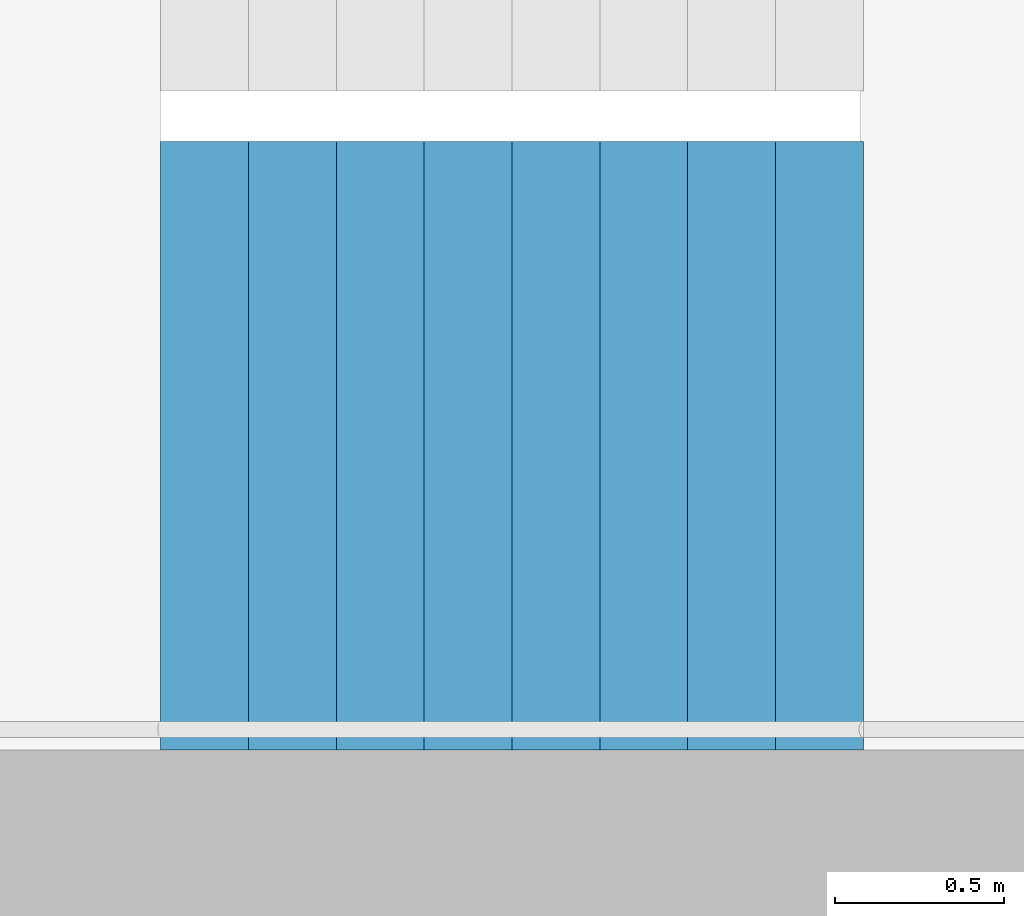
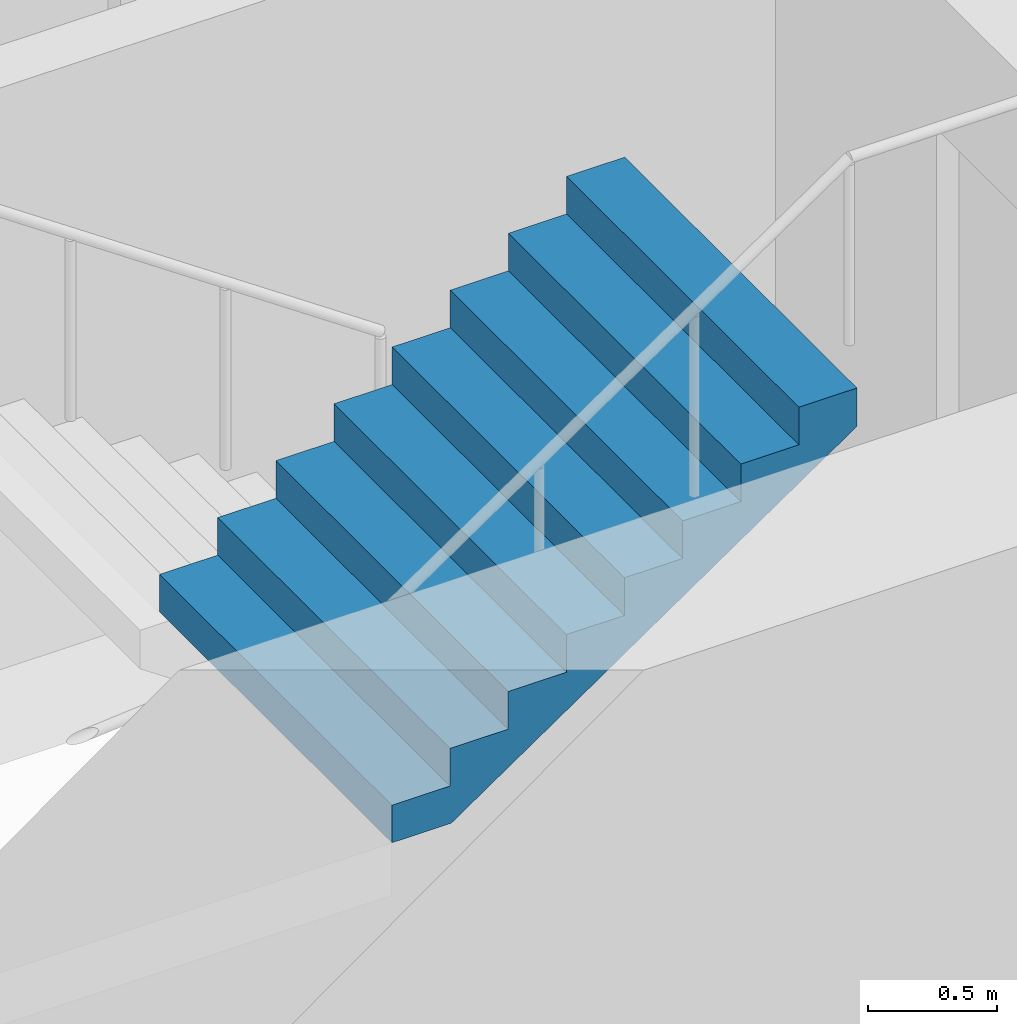
# One storey, part 19 of 27: 1 stair flight, 1 element without a shape of its own.
"""IFC4 building model written with IfcOpenShell, lengths in metres."""

from ifc_helpers import new_model, si_unit, direction, frame, origin, place, context, subcontext, project, spatial, triangles, material, type_object, element, aggregate, save


model = new_model("IFC4")

# Units and contexts
model_context = context("Model", 3, precision=1e-05, world=origin(), true_north=direction((0.0, 1.0)))
body_context = subcontext(model_context, "Body", "Model", "MODEL_VIEW")
ifc_project = project(units=[si_unit("LENGTHUNIT", "METRE"), si_unit("AREAUNIT", "SQUARE_METRE"), si_unit("VOLUMEUNIT", "CUBIC_METRE"), si_unit("PLANEANGLEUNIT", "RADIAN"), si_unit("MASSUNIT", "GRAM", prefix="KILO")], contexts=[model_context])

# Site, building, storey
site_placement = place(None, origin())
site = spatial("IfcSite", under=ifc_project, at=site_placement, CompositionType="ELEMENT")
building_placement = place(site_placement, origin())
building = spatial("IfcBuilding", under=site, at=building_placement, Name="Hakoniwa Tower and Hamabe Station Hall", CompositionType="ELEMENT")
storey_placement = place(building_placement, frame((0.0, 0.0, 239.0)))
storey = spatial("IfcBuildingStorey", under=building, at=storey_placement, Name="L67", CompositionType="ELEMENT", Elevation=239.0)

# Stair, stair flight
ifc_material_1 = material(Name="Concrete C40", Category="concrete")
stair_type = type_object("IfcStairType", Name="ESCAPE STAIR 1800", PredefinedType="HALF_TURN_STAIR", material=ifc_material_1)
stair_placement = place(storey_placement, origin())
stair = element("IfcStair", 1, at=stair_placement, inside=storey, type_object=stair_type, Name="Escape stair ST-2 L67", PredefinedType="HALF_TURN_STAIR")
ifc_material_2 = material(Name="Concrete C40", Category="concrete")
stair_flight_type = type_object("IfcStairFlightType", Name="STAIR FLIGHT 1800", PredefinedType="STRAIGHT", material=ifc_material_2)
stair_flight_placement = place(storey_placement, frame((-25.47998046875, -6.60009765625, 1.60009765625), z_axis=(0.0, 0.0, 1.0), x_axis=(1.0, 0.0, 0.0)))
stair_flight = element("IfcStairFlight", 2, at=stair_flight_placement, type_object=stair_flight_type, Name="ST-2 flight 2", NumberOfRisers=9, NumberOfTreads=8, PredefinedType="STRAIGHT", RiserHeight=0.177777778, TreadLength=0.26, context=body_context, shape_type="Tessellation", body=[
    triangles([(0.0, 0.89990234375, 0.0), (0.260009765625, 0.89990234375, 0.0), (0.265625, 0.89990234375, 0.0), (0.52001953125, 0.89990234375, 0.174072265625), (0.780029296875, 0.89990234375, 0.351806640625), (1.0400390625, 0.89990234375, 0.529541015625), (1.300048828125, 0.89990234375, 0.707275390625), (1.56005859375, 0.89990234375, 0.885009765625), (1.820068359375, 0.89990234375, 1.062744140625), (2.080078125, 0.89990234375, 1.24072265625), (2.080078125, 0.89990234375, 1.422119140625), (1.820068359375, 0.89990234375, 1.422119140625), (1.820068359375, 0.89990234375, 1.244384765625), (1.56005859375, 0.89990234375, 1.244384765625), (1.56005859375, 0.89990234375, 1.066650390625), (1.300048828125, 0.89990234375, 1.066650390625), (1.300048828125, 0.89990234375, 0.888916015625), (1.0400390625, 0.89990234375, 0.888916015625), (1.0400390625, 0.89990234375, 0.711181640625), (0.780029296875, 0.89990234375, 0.711181640625), (0.780029296875, 0.89990234375, 0.533447265625), (0.52001953125, 0.89990234375, 0.533447265625), (0.52001953125, 0.89990234375, 0.35546875), (0.265625, 0.89990234375, 0.35546875), (0.260009765625, 0.89990234375, 0.35546875), (0.260009765625, 0.89990234375, 0.177734375), (0.0, 0.89990234375, 0.177734375), (0.0, 0.06005859375, 0.0), (0.260009765625, 0.06005859375, 0.0), (0.265625, 0.06005859375, 0.0), (0.52001953125, 0.06005859375, 0.174072265625), (0.780029296875, 0.06005859375, 0.351806640625), (1.0400390625, 0.06005859375, 0.529541015625), (1.300048828125, 0.06005859375, 0.707275390625), (1.56005859375, 0.06005859375, 0.885009765625), (1.820068359375, 0.06005859375, 1.062744140625), (2.080078125, 0.06005859375, 1.24072265625), (2.080078125, 0.06005859375, 1.422119140625), (1.820068359375, 0.06005859375, 1.422119140625), (1.820068359375, 0.06005859375, 1.244384765625), (1.56005859375, 0.06005859375, 1.244384765625), (1.56005859375, 0.06005859375, 1.066650390625), (1.300048828125, 0.06005859375, 1.066650390625), (1.300048828125, 0.06005859375, 0.888916015625), (1.0400390625, 0.06005859375, 0.888916015625), (1.0400390625, 0.06005859375, 0.711181640625), (0.780029296875, 0.06005859375, 0.711181640625), (0.780029296875, 0.06005859375, 0.533447265625), (0.52001953125, 0.06005859375, 0.533447265625), (0.52001953125, 0.06005859375, 0.35546875), (0.265625, 0.06005859375, 0.35546875), (0.260009765625, 0.06005859375, 0.35546875), (0.260009765625, 0.06005859375, 0.177734375), (0.0, 0.06005859375, 0.177734375), (0.0, 0.04296875, 0.0), (0.260009765625, 0.04296875, 0.0), (0.265625, 0.04296875, 0.0), (0.52001953125, 0.04296875, 0.174072265625), (0.780029296875, 0.04296875, 0.351806640625), (1.0400390625, 0.04296875, 0.529541015625), (1.300048828125, 0.04296875, 0.707275390625), (1.56005859375, 0.04296875, 0.885009765625), (1.820068359375, 0.04296875, 1.062744140625), (2.080078125, 0.04296875, 1.24072265625), (2.080078125, 0.04296875, 1.422119140625), (1.820068359375, 0.04296875, 1.422119140625), (1.820068359375, 0.04296875, 1.244384765625), (1.56005859375, 0.04296875, 1.244384765625), (1.56005859375, 0.04296875, 1.066650390625), (1.300048828125, 0.04296875, 1.066650390625), (1.300048828125, 0.04296875, 0.888916015625), (1.0400390625, 0.04296875, 0.888916015625), (1.0400390625, 0.04296875, 0.711181640625), (0.780029296875, 0.04296875, 0.711181640625), (0.780029296875, 0.04296875, 0.533447265625), (0.52001953125, 0.04296875, 0.533447265625), (0.52001953125, 0.04296875, 0.35546875), (0.265625, 0.04296875, 0.35546875), (0.260009765625, 0.04296875, 0.35546875), (0.260009765625, 0.04296875, 0.177734375), (0.0, 0.04296875, 0.177734375), (0.0, 0.025634765625, 0.0), (0.260009765625, 0.025634765625, 0.0), (0.265625, 0.025634765625, 0.0), (0.52001953125, 0.025634765625, 0.174072265625), (0.780029296875, 0.025634765625, 0.351806640625), (1.0400390625, 0.025634765625, 0.529541015625), (1.300048828125, 0.025634765625, 0.707275390625), (1.56005859375, 0.025634765625, 0.885009765625), (1.820068359375, 0.025634765625, 1.062744140625), (2.080078125, 0.025634765625, 1.24072265625), (2.080078125, 0.025634765625, 1.422119140625), (1.820068359375, 0.025634765625, 1.422119140625), (1.820068359375, 0.025634765625, 1.244384765625), (1.56005859375, 0.025634765625, 1.244384765625), (1.56005859375, 0.025634765625, 1.066650390625), (1.300048828125, 0.025634765625, 1.066650390625), (1.300048828125, 0.025634765625, 0.888916015625), (1.0400390625, 0.025634765625, 0.888916015625), (1.0400390625, 0.025634765625, 0.711181640625), (0.780029296875, 0.025634765625, 0.711181640625), (0.780029296875, 0.025634765625, 0.533447265625), (0.52001953125, 0.025634765625, 0.533447265625), (0.52001953125, 0.025634765625, 0.35546875), (0.265625, 0.025634765625, 0.35546875), (0.260009765625, 0.025634765625, 0.35546875), (0.260009765625, 0.025634765625, 0.177734375), (0.0, 0.025634765625, 0.177734375), (0.0, 0.008544921875, 0.0), (0.260009765625, 0.008544921875, 0.0), (0.265625, 0.008544921875, 0.0), (0.52001953125, 0.008544921875, 0.174072265625), (0.780029296875, 0.008544921875, 0.351806640625), (1.0400390625, 0.008544921875, 0.529541015625), (1.300048828125, 0.008544921875, 0.707275390625), (1.56005859375, 0.008544921875, 0.885009765625), (1.820068359375, 0.008544921875, 1.062744140625), (2.080078125, 0.008544921875, 1.24072265625), (2.080078125, 0.008544921875, 1.422119140625), (1.820068359375, 0.008544921875, 1.422119140625), (1.820068359375, 0.008544921875, 1.244384765625), (1.56005859375, 0.008544921875, 1.244384765625), (1.56005859375, 0.008544921875, 1.066650390625), (1.300048828125, 0.008544921875, 1.066650390625), (1.300048828125, 0.008544921875, 0.888916015625), (1.0400390625, 0.008544921875, 0.888916015625), (1.0400390625, 0.008544921875, 0.711181640625), (0.780029296875, 0.008544921875, 0.711181640625), (0.780029296875, 0.008544921875, 0.533447265625), (0.52001953125, 0.008544921875, 0.533447265625), (0.52001953125, 0.008544921875, 0.35546875), (0.265625, 0.008544921875, 0.35546875), (0.260009765625, 0.008544921875, 0.35546875), (0.260009765625, 0.008544921875, 0.177734375), (0.0, 0.008544921875, 0.177734375), (0.0, -0.008544921875, 0.0), (0.260009765625, -0.008544921875, 0.0), (0.265625, -0.008544921875, 0.0), (0.52001953125, -0.008544921875, 0.174072265625), (0.780029296875, -0.008544921875, 0.351806640625), (1.0400390625, -0.008544921875, 0.529541015625), (1.300048828125, -0.008544921875, 0.707275390625), (1.56005859375, -0.008544921875, 0.885009765625), (1.820068359375, -0.008544921875, 1.062744140625), (2.080078125, -0.008544921875, 1.24072265625), (2.080078125, -0.008544921875, 1.422119140625), (1.820068359375, -0.008544921875, 1.422119140625), (1.820068359375, -0.008544921875, 1.244384765625), (1.56005859375, -0.008544921875, 1.244384765625), (1.56005859375, -0.008544921875, 1.066650390625), (1.300048828125, -0.008544921875, 1.066650390625), (1.300048828125, -0.008544921875, 0.888916015625), (1.0400390625, -0.008544921875, 0.888916015625), (1.0400390625, -0.008544921875, 0.711181640625), (0.780029296875, -0.008544921875, 0.711181640625), (0.780029296875, -0.008544921875, 0.533447265625), (0.52001953125, -0.008544921875, 0.533447265625), (0.52001953125, -0.008544921875, 0.35546875), (0.265625, -0.008544921875, 0.35546875), (0.260009765625, -0.008544921875, 0.35546875), (0.260009765625, -0.008544921875, 0.177734375), (0.0, -0.008544921875, 0.177734375), (0.0, -0.025634765625, 0.0), (0.260009765625, -0.025634765625, 0.0), (0.265625, -0.025634765625, 0.0), (0.52001953125, -0.025634765625, 0.174072265625), (0.780029296875, -0.025634765625, 0.351806640625), (1.0400390625, -0.025634765625, 0.529541015625), (1.300048828125, -0.025634765625, 0.707275390625), (1.56005859375, -0.025634765625, 0.885009765625), (1.820068359375, -0.025634765625, 1.062744140625), (2.080078125, -0.025634765625, 1.24072265625), (2.080078125, -0.025634765625, 1.422119140625), (1.820068359375, -0.025634765625, 1.422119140625), (1.820068359375, -0.025634765625, 1.244384765625), (1.56005859375, -0.025634765625, 1.244384765625), (1.56005859375, -0.025634765625, 1.066650390625), (1.300048828125, -0.025634765625, 1.066650390625), (1.300048828125, -0.025634765625, 0.888916015625), (1.0400390625, -0.025634765625, 0.888916015625), (1.0400390625, -0.025634765625, 0.711181640625), (0.780029296875, -0.025634765625, 0.711181640625), (0.780029296875, -0.025634765625, 0.533447265625), (0.52001953125, -0.025634765625, 0.533447265625), (0.52001953125, -0.025634765625, 0.35546875), (0.265625, -0.025634765625, 0.35546875), (0.260009765625, -0.025634765625, 0.35546875), (0.260009765625, -0.025634765625, 0.177734375), (0.0, -0.025634765625, 0.177734375), (0.0, -0.04296875, 0.0), (0.260009765625, -0.04296875, 0.0), (0.265625, -0.04296875, 0.0), (0.52001953125, -0.04296875, 0.174072265625), (0.780029296875, -0.04296875, 0.351806640625), (1.0400390625, -0.04296875, 0.529541015625), (1.300048828125, -0.04296875, 0.707275390625), (1.56005859375, -0.04296875, 0.885009765625), (1.820068359375, -0.04296875, 1.062744140625), (2.080078125, -0.04296875, 1.24072265625), (2.080078125, -0.04296875, 1.422119140625), (1.820068359375, -0.04296875, 1.422119140625), (1.820068359375, -0.04296875, 1.244384765625), (1.56005859375, -0.04296875, 1.244384765625), (1.56005859375, -0.04296875, 1.066650390625), (1.300048828125, -0.04296875, 1.066650390625), (1.300048828125, -0.04296875, 0.888916015625), (1.0400390625, -0.04296875, 0.888916015625), (1.0400390625, -0.04296875, 0.711181640625), (0.780029296875, -0.04296875, 0.711181640625), (0.780029296875, -0.04296875, 0.533447265625), (0.52001953125, -0.04296875, 0.533447265625), (0.52001953125, -0.04296875, 0.35546875), (0.265625, -0.04296875, 0.35546875), (0.260009765625, -0.04296875, 0.35546875), (0.260009765625, -0.04296875, 0.177734375), (0.0, -0.04296875, 0.177734375), (0.0, -0.06005859375, 0.0), (0.260009765625, -0.06005859375, 0.0), (0.265625, -0.06005859375, 0.0), (0.52001953125, -0.06005859375, 0.174072265625), (0.780029296875, -0.06005859375, 0.351806640625), (1.0400390625, -0.06005859375, 0.529541015625), (1.300048828125, -0.06005859375, 0.707275390625), (1.56005859375, -0.06005859375, 0.885009765625), (1.820068359375, -0.06005859375, 1.062744140625), (2.080078125, -0.06005859375, 1.24072265625), (2.080078125, -0.06005859375, 1.422119140625), (1.820068359375, -0.06005859375, 1.422119140625), (1.820068359375, -0.06005859375, 1.244384765625), (1.56005859375, -0.06005859375, 1.244384765625), (1.56005859375, -0.06005859375, 1.066650390625), (1.300048828125, -0.06005859375, 1.066650390625), (1.300048828125, -0.06005859375, 0.888916015625), (1.0400390625, -0.06005859375, 0.888916015625), (1.0400390625, -0.06005859375, 0.711181640625), (0.780029296875, -0.06005859375, 0.711181640625), (0.780029296875, -0.06005859375, 0.533447265625), (0.52001953125, -0.06005859375, 0.533447265625), (0.52001953125, -0.06005859375, 0.35546875), (0.265625, -0.06005859375, 0.35546875), (0.260009765625, -0.06005859375, 0.35546875), (0.260009765625, -0.06005859375, 0.177734375), (0.0, -0.06005859375, 0.177734375), (0.0, -0.89990234375, 0.0), (0.260009765625, -0.89990234375, 0.0), (0.265625, -0.89990234375, 0.0), (0.52001953125, -0.89990234375, 0.174072265625), (0.780029296875, -0.89990234375, 0.351806640625), (1.0400390625, -0.89990234375, 0.529541015625), (1.300048828125, -0.89990234375, 0.707275390625), (1.56005859375, -0.89990234375, 0.885009765625), (1.820068359375, -0.89990234375, 1.062744140625), (2.080078125, -0.89990234375, 1.24072265625), (2.080078125, -0.89990234375, 1.422119140625), (1.820068359375, -0.89990234375, 1.422119140625), (1.820068359375, -0.89990234375, 1.244384765625), (1.56005859375, -0.89990234375, 1.244384765625), (1.56005859375, -0.89990234375, 1.066650390625), (1.300048828125, -0.89990234375, 1.066650390625), (1.300048828125, -0.89990234375, 0.888916015625), (1.0400390625, -0.89990234375, 0.888916015625), (1.0400390625, -0.89990234375, 0.711181640625), (0.780029296875, -0.89990234375, 0.711181640625), (0.780029296875, -0.89990234375, 0.533447265625), (0.52001953125, -0.89990234375, 0.533447265625), (0.52001953125, -0.89990234375, 0.35546875), (0.265625, -0.89990234375, 0.35546875), (0.260009765625, -0.89990234375, 0.35546875), (0.260009765625, -0.89990234375, 0.177734375), (0.0, -0.89990234375, 0.177734375)], [[2, 27, 26], [245, 269, 270], [2, 1, 27], [245, 270, 244], [3, 25, 24], [246, 267, 268], [3, 26, 25], [246, 268, 269], [3, 2, 26], [246, 269, 245], [4, 24, 23], [247, 266, 267], [4, 3, 24], [247, 267, 246], [5, 22, 21], [248, 264, 265], [5, 23, 22], [248, 265, 266], [5, 4, 23], [248, 266, 247], [6, 20, 19], [249, 262, 263], [6, 21, 20], [249, 263, 264], [6, 5, 21], [249, 264, 248], [7, 18, 17], [250, 260, 261], [7, 19, 18], [250, 261, 262], [7, 6, 19], [250, 262, 249], [8, 16, 15], [251, 258, 259], [8, 17, 16], [251, 259, 260], [8, 7, 17], [251, 260, 250], [9, 14, 13], [252, 256, 257], [9, 15, 14], [252, 257, 258], [9, 8, 15], [252, 258, 251], [10, 12, 11], [253, 254, 255], [10, 13, 12], [253, 255, 256], [10, 9, 13], [253, 256, 252], [1, 2, 29], [1, 29, 28], [28, 29, 56], [28, 56, 55], [55, 56, 83], [55, 83, 82], [82, 83, 110], [82, 110, 109], [109, 110, 137], [109, 137, 136], [136, 137, 164], [136, 164, 163], [163, 164, 191], [163, 191, 190], [190, 191, 218], [190, 218, 217], [217, 218, 245], [217, 245, 244], [2, 3, 30], [2, 30, 29], [29, 30, 57], [29, 57, 56], [56, 57, 84], [56, 84, 83], [83, 84, 111], [83, 111, 110], [110, 111, 138], [110, 138, 137], [137, 138, 165], [137, 165, 164], [164, 165, 192], [164, 192, 191], [191, 192, 219], [191, 219, 218], [218, 219, 246], [218, 246, 245], [3, 4, 31], [3, 31, 30], [30, 31, 58], [30, 58, 57], [57, 58, 85], [57, 85, 84], [84, 85, 112], [84, 112, 111], [111, 112, 139], [111, 139, 138], [138, 139, 166], [138, 166, 165], [165, 166, 193], [165, 193, 192], [192, 193, 220], [192, 220, 219], [219, 220, 247], [219, 247, 246], [4, 5, 32], [4, 32, 31], [31, 32, 59], [31, 59, 58], [58, 59, 86], [58, 86, 85], [85, 86, 113], [85, 113, 112], [112, 113, 140], [112, 140, 139], [139, 140, 167], [139, 167, 166], [166, 167, 194], [166, 194, 193], [193, 194, 221], [193, 221, 220], [220, 221, 248], [220, 248, 247], [5, 6, 33], [5, 33, 32], [32, 33, 60], [32, 60, 59], [59, 60, 87], [59, 87, 86], [86, 87, 114], [86, 114, 113], [113, 114, 141], [113, 141, 140], [140, 141, 168], [140, 168, 167], [167, 168, 195], [167, 195, 194], [194, 195, 222], [194, 222, 221], [221, 222, 249], [221, 249, 248], [6, 7, 34], [6, 34, 33], [33, 34, 61], [33, 61, 60], [60, 61, 88], [60, 88, 87], [87, 88, 115], [87, 115, 114], [114, 115, 142], [114, 142, 141], [141, 142, 169], [141, 169, 168], [168, 169, 196], [168, 196, 195], [195, 196, 223], [195, 223, 222], [222, 223, 250], [222, 250, 249], [7, 8, 35], [7, 35, 34], [34, 35, 62], [34, 62, 61], [61, 62, 89], [61, 89, 88], [88, 89, 116], [88, 116, 115], [115, 116, 143], [115, 143, 142], [142, 143, 170], [142, 170, 169], [169, 170, 197], [169, 197, 196], [196, 197, 224], [196, 224, 223], [223, 224, 251], [223, 251, 250], [8, 9, 36], [8, 36, 35], [35, 36, 63], [35, 63, 62], [62, 63, 90], [62, 90, 89], [89, 90, 117], [89, 117, 116], [116, 117, 144], [116, 144, 143], [143, 144, 171], [143, 171, 170], [170, 171, 198], [170, 198, 197], [197, 198, 225], [197, 225, 224], [224, 225, 252], [224, 252, 251], [9, 10, 37], [9, 37, 36], [36, 37, 64], [36, 64, 63], [63, 64, 91], [63, 91, 90], [90, 91, 118], [90, 118, 117], [117, 118, 145], [117, 145, 144], [144, 145, 172], [144, 172, 171], [171, 172, 199], [171, 199, 198], [198, 199, 226], [198, 226, 225], [225, 226, 253], [225, 253, 252], [10, 11, 38], [10, 38, 37], [37, 38, 65], [37, 65, 64], [64, 65, 92], [64, 92, 91], [91, 92, 119], [91, 119, 118], [118, 119, 146], [118, 146, 145], [145, 146, 173], [145, 173, 172], [172, 173, 200], [172, 200, 199], [199, 200, 227], [199, 227, 226], [226, 227, 254], [226, 254, 253], [11, 12, 39], [11, 39, 38], [38, 39, 66], [38, 66, 65], [65, 66, 93], [65, 93, 92], [92, 93, 120], [92, 120, 119], [119, 120, 147], [119, 147, 146], [146, 147, 174], [146, 174, 173], [173, 174, 201], [173, 201, 200], [200, 201, 228], [200, 228, 227], [227, 228, 255], [227, 255, 254], [12, 13, 40], [12, 40, 39], [39, 40, 67], [39, 67, 66], [66, 67, 94], [66, 94, 93], [93, 94, 121], [93, 121, 120], [120, 121, 148], [120, 148, 147], [147, 148, 175], [147, 175, 174], [174, 175, 202], [174, 202, 201], [201, 202, 229], [201, 229, 228], [228, 229, 256], [228, 256, 255], [13, 14, 41], [13, 41, 40], [40, 41, 68], [40, 68, 67], [67, 68, 95], [67, 95, 94], [94, 95, 122], [94, 122, 121], [121, 122, 149], [121, 149, 148], [148, 149, 176], [148, 176, 175], [175, 176, 203], [175, 203, 202], [202, 203, 230], [202, 230, 229], [229, 230, 257], [229, 257, 256], [14, 15, 42], [14, 42, 41], [41, 42, 69], [41, 69, 68], [68, 69, 96], [68, 96, 95], [95, 96, 123], [95, 123, 122], [122, 123, 150], [122, 150, 149], [149, 150, 177], [149, 177, 176], [176, 177, 204], [176, 204, 203], [203, 204, 231], [203, 231, 230], [230, 231, 258], [230, 258, 257], [15, 16, 43], [15, 43, 42], [42, 43, 70], [42, 70, 69], [69, 70, 97], [69, 97, 96], [96, 97, 124], [96, 124, 123], [123, 124, 151], [123, 151, 150], [150, 151, 178], [150, 178, 177], [177, 178, 205], [177, 205, 204], [204, 205, 232], [204, 232, 231], [231, 232, 259], [231, 259, 258], [16, 17, 44], [16, 44, 43], [43, 44, 71], [43, 71, 70], [70, 71, 98], [70, 98, 97], [97, 98, 125], [97, 125, 124], [124, 125, 152], [124, 152, 151], [151, 152, 179], [151, 179, 178], [178, 179, 206], [178, 206, 205], [205, 206, 233], [205, 233, 232], [232, 233, 260], [232, 260, 259], [17, 18, 45], [17, 45, 44], [44, 45, 72], [44, 72, 71], [71, 72, 99], [71, 99, 98], [98, 99, 126], [98, 126, 125], [125, 126, 153], [125, 153, 152], [152, 153, 180], [152, 180, 179], [179, 180, 207], [179, 207, 206], [206, 207, 234], [206, 234, 233], [233, 234, 261], [233, 261, 260], [18, 19, 46], [18, 46, 45], [45, 46, 73], [45, 73, 72], [72, 73, 100], [72, 100, 99], [99, 100, 127], [99, 127, 126], [126, 127, 154], [126, 154, 153], [153, 154, 181], [153, 181, 180], [180, 181, 208], [180, 208, 207], [207, 208, 235], [207, 235, 234], [234, 235, 262], [234, 262, 261], [19, 20, 47], [19, 47, 46], [46, 47, 74], [46, 74, 73], [73, 74, 101], [73, 101, 100], [100, 101, 128], [100, 128, 127], [127, 128, 155], [127, 155, 154], [154, 155, 182], [154, 182, 181], [181, 182, 209], [181, 209, 208], [208, 209, 236], [208, 236, 235], [235, 236, 263], [235, 263, 262], [20, 21, 48], [20, 48, 47], [47, 48, 75], [47, 75, 74], [74, 75, 102], [74, 102, 101], [101, 102, 129], [101, 129, 128], [128, 129, 156], [128, 156, 155], [155, 156, 183], [155, 183, 182], [182, 183, 210], [182, 210, 209], [209, 210, 237], [209, 237, 236], [236, 237, 264], [236, 264, 263], [21, 22, 49], [21, 49, 48], [48, 49, 76], [48, 76, 75], [75, 76, 103], [75, 103, 102], [102, 103, 130], [102, 130, 129], [129, 130, 157], [129, 157, 156], [156, 157, 184], [156, 184, 183], [183, 184, 211], [183, 211, 210], [210, 211, 238], [210, 238, 237], [237, 238, 265], [237, 265, 264], [22, 23, 50], [22, 50, 49], [49, 50, 77], [49, 77, 76], [76, 77, 104], [76, 104, 103], [103, 104, 131], [103, 131, 130], [130, 131, 158], [130, 158, 157], [157, 158, 185], [157, 185, 184], [184, 185, 212], [184, 212, 211], [211, 212, 239], [211, 239, 238], [238, 239, 266], [238, 266, 265], [23, 24, 51], [23, 51, 50], [50, 51, 78], [50, 78, 77], [77, 78, 105], [77, 105, 104], [104, 105, 132], [104, 132, 131], [131, 132, 159], [131, 159, 158], [158, 159, 186], [158, 186, 185], [185, 186, 213], [185, 213, 212], [212, 213, 240], [212, 240, 239], [239, 240, 267], [239, 267, 266], [24, 25, 52], [24, 52, 51], [51, 52, 79], [51, 79, 78], [78, 79, 106], [78, 106, 105], [105, 106, 133], [105, 133, 132], [132, 133, 160], [132, 160, 159], [159, 160, 187], [159, 187, 186], [186, 187, 214], [186, 214, 213], [213, 214, 241], [213, 241, 240], [240, 241, 268], [240, 268, 267], [25, 26, 53], [25, 53, 52], [52, 53, 80], [52, 80, 79], [79, 80, 107], [79, 107, 106], [106, 107, 134], [106, 134, 133], [133, 134, 161], [133, 161, 160], [160, 161, 188], [160, 188, 187], [187, 188, 215], [187, 215, 214], [214, 215, 242], [214, 242, 241], [241, 242, 269], [241, 269, 268], [26, 27, 54], [26, 54, 53], [53, 54, 81], [53, 81, 80], [80, 81, 108], [80, 108, 107], [107, 108, 135], [107, 135, 134], [134, 135, 162], [134, 162, 161], [161, 162, 189], [161, 189, 188], [188, 189, 216], [188, 216, 215], [215, 216, 243], [215, 243, 242], [242, 243, 270], [242, 270, 269], [27, 1, 28], [27, 28, 54], [54, 28, 55], [54, 55, 81], [81, 55, 82], [81, 82, 108], [108, 82, 109], [108, 109, 135], [135, 109, 136], [135, 136, 162], [162, 136, 163], [162, 163, 189], [189, 163, 190], [189, 190, 216], [216, 190, 217], [216, 217, 243], [243, 217, 244], [243, 244, 270]], closed=True),
])
aggregate(stair, [stair_flight])

save(model, "model.ifc")
